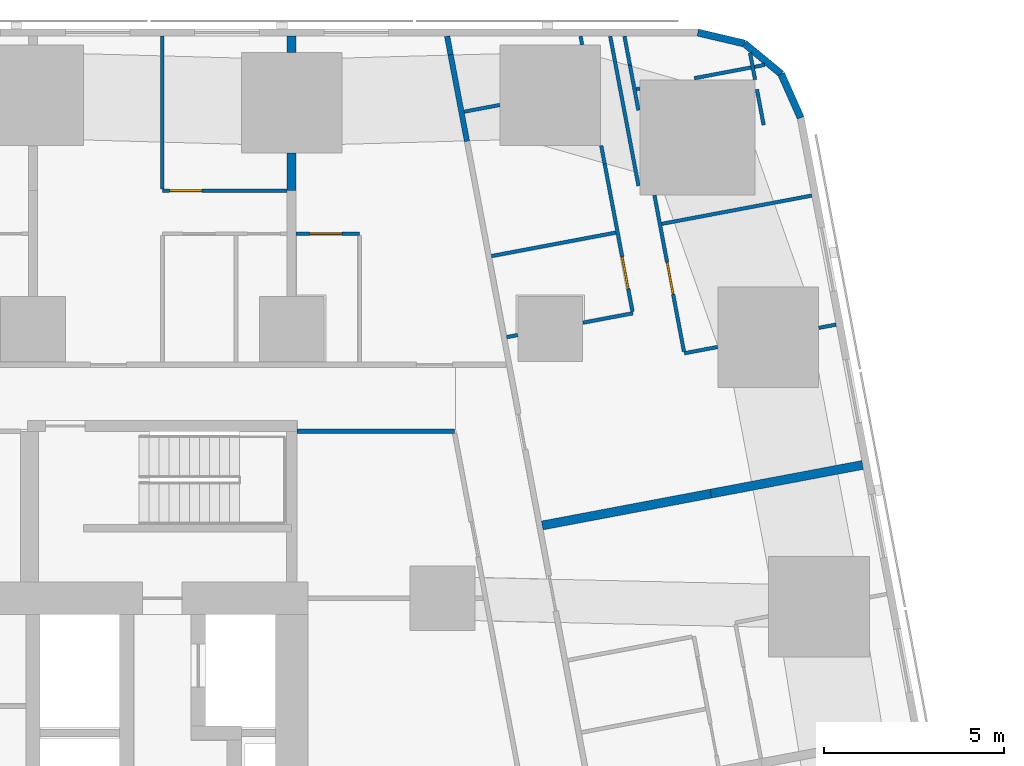
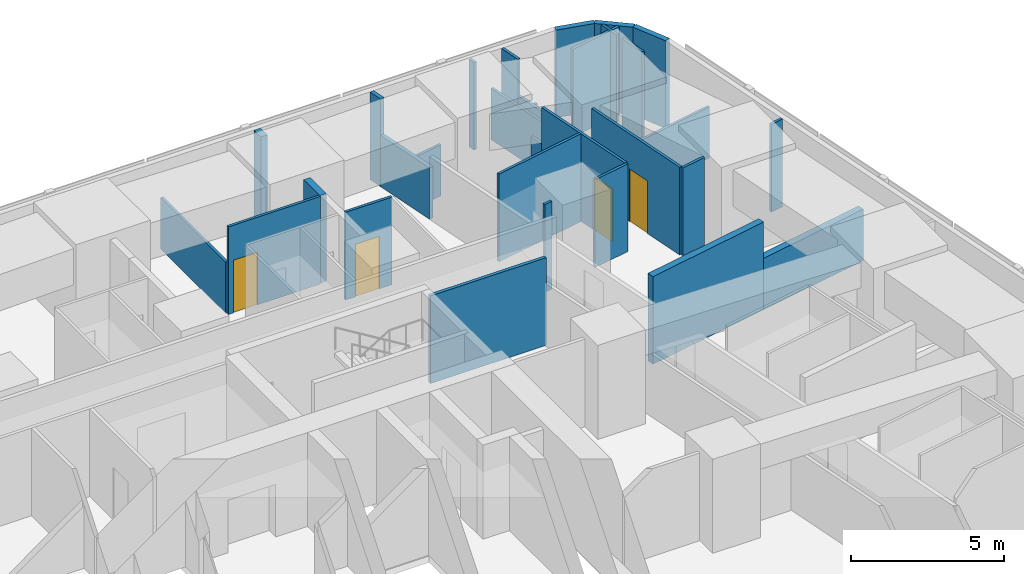
# One storey, part 10 of 15: 31 walls, 4 doors, 4 openings.
"""IFC4 building model written with IfcOpenShell, lengths in metres."""

from ifc_helpers import new_model, si_unit, direction, frame, frame_2d, origin, place, context, subcontext, project, spatial, rectangle, extrude, material, layer, layer_set, type_object, element, fill, save


model = new_model("IFC4")

# Units and contexts
model_context = context("Model", 3, precision=1e-05, world=origin(), true_north=direction((0.0, 1.0)))
body_context = subcontext(model_context, "Body", "Model", "MODEL_VIEW")
ifc_project = project(units=[si_unit("LENGTHUNIT", "METRE"), si_unit("AREAUNIT", "SQUARE_METRE"), si_unit("VOLUMEUNIT", "CUBIC_METRE"), si_unit("PLANEANGLEUNIT", "RADIAN"), si_unit("MASSUNIT", "GRAM", prefix="KILO")], contexts=[model_context])

# Site, building, storey
site_placement = place(None, origin())
site = spatial("IfcSite", under=ifc_project, at=site_placement, CompositionType="ELEMENT")
building_placement = place(site_placement, origin())
building = spatial("IfcBuilding", under=site, at=building_placement, Name="Sheger Commons Tower", CompositionType="ELEMENT")
storey_placement = place(building_placement, frame((0.0, 0.0, 46.25)))
storey = spatial("IfcBuildingStorey", under=building, at=storey_placement, Name="L11", CompositionType="ELEMENT", Elevation=46.25)

# Walls
ifc_material_1 = material(Name="Hollow concrete block masonry, skimmed both sides", Category="masonry")
ifc_layer_1 = layer(ifc_material_1, 0.14990234375)
ifc_layer_set_1 = layer_set([ifc_layer_1], Name="CORRIDOR WALL 150")
wall_type_1 = type_object("IfcWallType", Name="CORRIDOR WALL 150", PredefinedType="SOLIDWALL", material=ifc_layer_set_1)
wall_1_placement = place(storey_placement, frame((33.126953125, 45.64990234375, 0.0), z_axis=(0.0, 0.0, 1.0), x_axis=(0.185441815104, -0.982655246366, 0.0)))
element("IfcWall", 1, at=wall_1_placement, inside=storey, type_object=wall_type_1, Name="Corridor wall L11", PredefinedType="SOLIDWALL", context=body_context, shape_type="SweptSolid", body=[
    extrude(rectangle(XDim=0.52392578125, YDim=0.14990234375, at=frame_2d((0.261962890625, 0.0))), origin(), (0.0, 0.0, 1.0), 3.5),
])
wall_2_placement = place(storey_placement, frame((33.22412109375, 45.135009765625, 0.0), z_axis=(0.0, 0.0, 1.0), x_axis=(0.185681462868, -0.982609990967, 0.0)))
element("IfcWall", 2, at=wall_2_placement, inside=storey, type_object=wall_type_1, Name="Corridor wall L11", PredefinedType="SOLIDWALL", context=body_context, shape_type="SweptSolid", body=[
    extrude(rectangle(XDim=2.454833984375, YDim=0.14990234375, at=frame_2d((1.2275390625, 0.0))), origin(), (0.0, 0.0, 1.0), 2.050048828125),
])
ifc_material_2 = material(Name="Dense concrete block masonry, plastered both sides (separating wall between flats)", Category="masonry")
ifc_layer_2 = layer(ifc_material_2, 0.25)
ifc_layer_set_2 = layer_set([ifc_layer_2], Name="DEMISING WALL 250")
wall_type_2 = type_object("IfcWallType", Name="DEMISING WALL 250", PredefinedType="SOLIDWALL", material=ifc_layer_set_2)
wall_3_placement = place(storey_placement, frame((44.693115234375, 33.712890625, 0.0), z_axis=(0.0, 0.0, 1.0), x_axis=(-0.982633535512, -0.185556823879, 0.0)))
element("IfcWall", 3, at=wall_3_placement, inside=storey, type_object=wall_type_2, Name="Demising wall L11", PredefinedType="SOLIDWALL", context=body_context, shape_type="SweptSolid", body=[
    extrude(rectangle(XDim=4.2998046875, YDim=0.25, at=frame_2d((2.14990234375, 0.0))), origin(), (0.0, 0.0, 1.0), 2.050048828125),
])
wall_4_placement = place(storey_placement, frame((40.468017578125, 32.9150390625, 0.0), z_axis=(0.0, 0.0, 1.0), x_axis=(-0.982635807605, -0.185544791394, 0.0)))
element("IfcWall", 4, at=wall_4_placement, inside=storey, type_object=wall_type_2, Name="Demising wall L11", PredefinedType="SOLIDWALL", context=body_context, shape_type="SweptSolid", body=[
    extrude(rectangle(XDim=4.775146484375, YDim=0.25, at=frame_2d((2.3876953125, 0.0))), origin(), (0.0, 0.0, 1.0), 3.5),
])
wall_5_placement = place(storey_placement, frame((28.800048828125, 41.35009765625, 0.0), z_axis=(0.0, 0.0, 1.0), x_axis=(0.0, 1.0, 0.0)))
element("IfcWall", 5, at=wall_5_placement, inside=storey, type_object=wall_type_2, Name="Demising wall L11", PredefinedType="SOLIDWALL", context=body_context, shape_type="SweptSolid", body=[
    extrude(rectangle(XDim=1.048828125, YDim=0.25, at=frame_2d((0.5244140625, 0.0))), origin(), (0.0, 0.0, 1.0), 3.5),
])
wall_6_placement = place(storey_placement, frame((28.800048828125, 45.200927734375, 0.0), z_axis=(0.0, 0.0, 1.0), x_axis=(0.0, 1.0, 0.0)))
element("IfcWall", 6, at=wall_6_placement, inside=storey, type_object=wall_type_2, Name="Demising wall L11", PredefinedType="SOLIDWALL", context=body_context, shape_type="SweptSolid", body=[
    extrude(rectangle(XDim=0.448974609375, YDim=0.25, at=frame_2d((0.224609375, 0.0))), origin(), (0.0, 0.0, 1.0), 3.5),
])
ifc_material_3 = material(Name="Rendered concrete block masonry, dark grey", Category="masonry")
ifc_layer_3 = layer(ifc_material_3, 0.199951171875)
ifc_layer_set_3 = layer_set([ifc_layer_3], Name="FACADE WALL 200")
wall_type_3 = type_object("IfcWallType", Name="FACADE WALL 200", PredefinedType="SOLIDWALL", material=ifc_layer_set_3)
wall_7_placement = place(storey_placement, frame((42.969970703125, 43.376953125, 0.0), z_axis=(0.0, 0.0, 1.0), x_axis=(-0.406002956633, 0.913871762998, 0.0)))
element("IfcWall", 7, at=wall_7_placement, inside=storey, type_object=wall_type_3, Name="Facade wall L11", PredefinedType="SOLIDWALL", context=body_context, shape_type="SweptSolid", body=[
    extrude(rectangle(XDim=1.33740234375, YDim=0.199951171875, at=frame_2d((0.668701171875, 0.0))), origin(), (0.0, 0.0, 1.0), 3.5),
])
wall_8_placement = place(storey_placement, frame((42.427001953125, 44.59912109375, 0.0), z_axis=(0.0, 0.0, 1.0), x_axis=(-0.770091412544, 0.637933551655, 0.0)))
element("IfcWall", 8, at=wall_8_placement, inside=storey, type_object=wall_type_3, Name="Facade wall L11", PredefinedType="SOLIDWALL", context=body_context, shape_type="SweptSolid", body=[
    extrude(rectangle(XDim=1.324462890625, YDim=0.199951171875, at=frame_2d((0.662109375, 0.0))), origin(), (0.0, 0.0, 1.0), 3.5),
])
wall_9_placement = place(storey_placement, frame((41.406982421875, 45.444091796875, 0.0), z_axis=(0.0, 0.0, 1.0), x_axis=(-0.973453091607, 0.228886606077, 0.0)))
element("IfcWall", 9, at=wall_9_placement, inside=storey, type_object=wall_type_3, Name="Facade wall L11", PredefinedType="SOLIDWALL", context=body_context, shape_type="SweptSolid", body=[
    extrude(rectangle(XDim=1.33642578125, YDim=0.199951171875, at=frame_2d((0.668212890625, 0.0))), origin(), (0.0, 0.0, 1.0), 3.5),
])
ifc_material_4 = material(Name="Gypsum board on steel studs", Category="steel")
ifc_layer_4 = layer(ifc_material_4, 0.10009765625)
ifc_layer_set_4 = layer_set([ifc_layer_4], Name="PARTITION 100")
wall_type_4 = type_object("IfcWallType", Name="PARTITION 100", PredefinedType="PARTITIONING", material=ifc_layer_set_4)
wall_10_placement = place(storey_placement, frame((38.4541015625, 41.48291015625, 0.0), z_axis=(0.0, 0.0, 1.0), x_axis=(-0.185609245326, 0.982623634994, 0.0)))
element("IfcWall", 10, at=wall_10_placement, inside=storey, type_object=wall_type_4, Name="Partition L11", PredefinedType="PARTITIONING", context=body_context, shape_type="SweptSolid", body=[
    extrude(rectangle(XDim=4.24072265625, YDim=0.10009765625, at=frame_2d((2.120361328125, 0.0))), origin(), (0.0, 0.0, 1.0), 2.050048828125),
])
wall_11_placement = place(storey_placement, frame((41.55908203125, 45.18798828125, 0.0), z_axis=(0.0, 0.0, 1.0), x_axis=(0.185063078849, -0.98272664401, 0.0)))
element("IfcWall", 11, at=wall_11_placement, inside=storey, type_object=wall_type_4, Name="Partition L11", PredefinedType="PARTITIONING", context=body_context, shape_type="SweptSolid", body=[
    extrude(rectangle(XDim=0.76123046875, YDim=0.10009765625, at=frame_2d((0.380615234375, 0.0))), origin(), (0.0, 0.0, 1.0), 3.5),
])
wall_12_placement = place(storey_placement, frame((41.7509765625, 44.169921875, 0.0), z_axis=(0.0, 0.0, 1.0), x_axis=(0.186024046654, -0.98254519187, 0.0)))
element("IfcWall", 12, at=wall_12_placement, inside=storey, type_object=wall_type_4, Name="Partition L11", PredefinedType="PARTITIONING", context=body_context, shape_type="SweptSolid", body=[
    extrude(rectangle(XDim=1.010498046875, YDim=0.10009765625, at=frame_2d((0.50537109375, 0.0))), origin(), (0.0, 0.0, 1.0), 3.5),
])
wall_13_placement = place(storey_placement, frame((38.06298828125, 45.64990234375, 0.0), z_axis=(0.0, 0.0, 1.0), x_axis=(0.186109918919, -0.982528929895, 0.0)))
element("IfcWall", 13, at=wall_13_placement, inside=storey, type_object=wall_type_4, Name="Partition L11", PredefinedType="PARTITIONING", context=body_context, shape_type="SweptSolid", body=[
    extrude(rectangle(XDim=0.817138671875, YDim=0.10009765625, at=frame_2d((0.40869140625, 0.0))), origin(), (0.0, 0.0, 1.0), 3.5),
])
wall_14_placement = place(storey_placement, frame((38.215087890625, 44.846923828125, 0.0), z_axis=(0.0, 0.0, 1.0), x_axis=(0.185310800156, -0.982679961811, 0.0)))
element("IfcWall", 14, at=wall_14_placement, inside=storey, type_object=wall_type_4, Name="Partition L11", PredefinedType="PARTITIONING", context=body_context, shape_type="SweptSolid", body=[
    extrude(rectangle(XDim=1.283203125, YDim=0.10009765625, at=frame_2d((0.6416015625, 0.0))), origin(), (0.0, 0.0, 1.0), 2.050048828125),
])

# Wall, opening, door
wall_15_placement = place(storey_placement, frame((38.89892578125, 41.219970703125, 0.0), z_axis=(0.0, 0.0, 1.0), x_axis=(0.185517409072, -0.982640977637, 0.0)))
wall_15 = element("IfcWall", 15, at=wall_15_placement, inside=storey, type_object=wall_type_4, Name="Partition L11", PredefinedType="PARTITIONING", context=body_context, shape_type="SweptSolid", body=[
    extrude(rectangle(XDim=4.42578125, YDim=0.10009765625, at=frame_2d((2.212890625, 0.0))), origin(), (0.0, 0.0, 1.0), 3.5),
])
opening_1_placement = place(wall_15_placement, frame((1.89990234375, 0.0, 0.0)))
opening_1 = element("IfcOpeningElement", 16, at=opening_1_placement, cuts=wall_15, Name="Opening D2", PredefinedType="OPENING", context=body_context, shape_type="SweptSolid", body=[
    extrude(rectangle(XDim=0.89990234375, YDim=2.10009765625, at=frame_2d((0.449951171875, 1.050048828125))), frame((0.0, 0.06005859375, 0.0), z_axis=(0.0, -1.0, 0.0), x_axis=(1.0, 0.0, 0.0)), (0.0, 0.0, 1.0), 0.1201171875),
])
ifc_material_5 = material(Name="Timber door set", Category="wood")
door_type = type_object("IfcDoorType", Name="INTERNAL DOOR 900x2100", OperationType="NOTDEFINED", PredefinedType="DOOR", material=ifc_material_5)
door_1_placement = place(opening_1_placement, origin())
door_1 = element("IfcDoor", 17, at=door_1_placement, inside=storey, type_object=door_type, Name="Main bedroom door", OperationType="SINGLE_SWING_LEFT", OverallHeight=2.10009765625, OverallWidth=0.89990234375, PredefinedType="DOOR", context=body_context, shape_type="SweptSolid", body=[
    extrude(rectangle(XDim=0.89990234375, YDim=2.10009765625, at=frame_2d((0.449951171875, 1.050048828125))), frame((0.0, 0.02490234375, 0.0), z_axis=(0.0, -1.0, 0.0), x_axis=(1.0, 0.0, 0.0)), (0.0, 0.0, 1.0), 0.050048828125),
])
fill(opening_1, door_1)

# Walls
wall_16_placement = place(storey_placement, frame((36.841064453125, 45.64990234375, 0.0), z_axis=(0.0, 0.0, 1.0), x_axis=(0.183986661451, -0.982928740249, 0.0)))
element("IfcWall", 18, at=wall_16_placement, inside=storey, type_object=wall_type_4, Name="Partition L11", PredefinedType="PARTITIONING", context=body_context, shape_type="SweptSolid", body=[
    extrude(rectangle(XDim=0.244140625, YDim=0.10009765625, at=frame_2d((0.1220703125, 0.0))), origin(), (0.0, 0.0, 1.0), 3.5),
])
wall_17_placement = place(storey_placement, frame((37.4169921875, 42.60205078125, 0.0), z_axis=(0.0, 0.0, 1.0), x_axis=(0.185672001976, -0.982611778721, 0.0)))
element("IfcWall", 19, at=wall_17_placement, inside=storey, type_object=wall_type_4, Name="Partition L11", PredefinedType="PARTITIONING", context=body_context, shape_type="SweptSolid", body=[
    extrude(rectangle(XDim=0.52197265625, YDim=0.10009765625, at=frame_2d((0.260986328125, 0.0))), origin(), (0.0, 0.0, 1.0), 2.050048828125),
])

# Wall, opening, door
wall_18_placement = place(storey_placement, frame((37.513916015625, 42.089111328125, 0.0), z_axis=(0.0, 0.0, 1.0), x_axis=(0.185540945282, -0.982636533833, 0.0)))
wall_18 = element("IfcWall", 20, at=wall_18_placement, inside=storey, type_object=wall_type_4, Name="Partition L11", PredefinedType="PARTITIONING", context=body_context, shape_type="SweptSolid", body=[
    extrude(rectangle(XDim=4.177734375, YDim=0.10009765625, at=frame_2d((2.0888671875, 0.0))), origin(), (0.0, 0.0, 1.0), 3.5),
])
opening_2_placement = place(wall_18_placement, frame((2.6298828125, 0.0, 0.0)))
opening_2 = element("IfcOpeningElement", 21, at=opening_2_placement, cuts=wall_18, Name="Opening D2", PredefinedType="OPENING", context=body_context, shape_type="SweptSolid", body=[
    extrude(rectangle(XDim=0.89990234375, YDim=2.10009765625, at=frame_2d((0.449951171875, 1.050048828125))), frame((0.0, 0.06005859375, 0.0), z_axis=(0.0, -1.0, 0.0), x_axis=(1.0, 0.0, 0.0)), (0.0, 0.0, 1.0), 0.1201171875),
])
door_2_placement = place(opening_2_placement, origin())
door_2 = element("IfcDoor", 22, at=door_2_placement, inside=storey, type_object=door_type, Name="Bathroom door", OperationType="SINGLE_SWING_LEFT", OverallHeight=2.10009765625, OverallWidth=0.89990234375, PredefinedType="DOOR", context=body_context, shape_type="SweptSolid", body=[
    extrude(rectangle(XDim=0.89990234375, YDim=2.10009765625, at=frame_2d((0.449951171875, 1.050048828125))), frame((0.0, 0.02490234375, 0.0), z_axis=(0.0, -1.0, 0.0), x_axis=(1.0, 0.0, 0.0)), (0.0, 0.0, 1.0), 0.050048828125),
])
fill(opening_2, door_2)

# Walls
wall_19_placement = place(storey_placement, frame((41.968017578125, 44.85009765625, 0.0), z_axis=(0.0, 0.0, 1.0), x_axis=(-0.982543651732, -0.186032181195, 0.0)))
element("IfcWall", 23, at=wall_19_placement, inside=storey, type_object=wall_type_4, Name="Partition L11", PredefinedType="PARTITIONING", context=body_context, shape_type="SweptSolid", body=[
    extrude(rectangle(XDim=1.994873046875, YDim=0.10009765625, at=frame_2d((0.99755859375, 0.0))), origin(), (0.0, 0.0, 1.0), 3.5),
])
wall_20_placement = place(storey_placement, frame((38.491943359375, 44.193115234375, 0.0), z_axis=(0.0, 0.0, 1.0), x_axis=(-0.981954528773, -0.189117168504, 0.0)))
element("IfcWall", 24, at=wall_20_placement, inside=storey, type_object=wall_type_4, Name="Partition L11", PredefinedType="PARTITIONING", context=body_context, shape_type="SweptSolid", body=[
    extrude(rectangle(XDim=0.1005859375, YDim=0.10009765625, at=frame_2d((0.05029296875, 0.0))), origin(), (0.0, 0.0, 1.0), 2.050048828125),
])
wall_21_placement = place(storey_placement, frame((43.277099609375, 41.2119140625, 0.0), z_axis=(0.0, 0.0, 1.0), x_axis=(-0.982665405803, -0.185387972203, 0.0)))
element("IfcWall", 25, at=wall_21_placement, inside=storey, type_object=wall_type_4, Name="Partition L11", PredefinedType="PARTITIONING", context=body_context, shape_type="SweptSolid", body=[
    extrude(rectangle(XDim=4.249755859375, YDim=0.10009765625, at=frame_2d((2.125, 0.0))), origin(), (0.0, 0.0, 1.0), 2.050048828125),
])
wall_22_placement = place(storey_placement, frame((43.955078125, 37.6201171875, 0.0), z_axis=(0.0, 0.0, 1.0), x_axis=(-0.982543152073, -0.186034820164, 0.0)))
element("IfcWall", 26, at=wall_22_placement, inside=storey, type_object=wall_type_4, Name="Partition L11", PredefinedType="PARTITIONING", context=body_context, shape_type="SweptSolid", body=[
    extrude(rectangle(XDim=0.489501953125, YDim=0.10009765625, at=frame_2d((0.24462890625, 0.0))), origin(), (0.0, 0.0, 1.0), 3.5),
])
wall_23_placement = place(storey_placement, frame((40.654052734375, 36.99609375, 0.0), z_axis=(0.0, 0.0, 1.0), x_axis=(-0.982716055164, -0.185119299163, 0.0)))
element("IfcWall", 27, at=wall_23_placement, inside=storey, type_object=wall_type_4, Name="Partition L11", PredefinedType="PARTITIONING", context=body_context, shape_type="SweptSolid", body=[
    extrude(rectangle(XDim=0.9404296875, YDim=0.10009765625, at=frame_2d((0.47021484375, 0.0))), origin(), (0.0, 0.0, 1.0), 3.5),
])
wall_24_placement = place(storey_placement, frame((34.590087890625, 43.73388671875, 0.0), z_axis=(0.0, 0.0, 1.0), x_axis=(-0.982632457012, -0.185562535081, 0.0)))
element("IfcWall", 28, at=wall_24_placement, inside=storey, type_object=wall_type_4, Name="Partition L11", PredefinedType="PARTITIONING", context=body_context, shape_type="SweptSolid", body=[
    extrude(rectangle(XDim=1.006591796875, YDim=0.10009765625, at=frame_2d((0.50341796875, 0.0))), origin(), (0.0, 0.0, 1.0), 2.050048828125),
])
wall_25_placement = place(storey_placement, frame((37.822998046875, 40.181884765625, 0.0), z_axis=(0.0, 0.0, 1.0), x_axis=(-0.98263926043, -0.185526504472, 0.0)))
element("IfcWall", 29, at=wall_25_placement, inside=storey, type_object=wall_type_4, Name="Partition L11", PredefinedType="PARTITIONING", context=body_context, shape_type="SweptSolid", body=[
    extrude(rectangle(XDim=3.524169921875, YDim=0.10009765625, at=frame_2d((1.76220703125, 0.0))), origin(), (0.0, 0.0, 1.0), 3.5),
])
wall_26_placement = place(storey_placement, frame((38.299072265625, 37.93505859375, 0.0), z_axis=(0.0, 0.0, 1.0), x_axis=(-0.982680053146, -0.185310315822, 0.0)))
element("IfcWall", 30, at=wall_26_placement, inside=storey, type_object=wall_type_4, Name="Partition L11", PredefinedType="PARTITIONING", context=body_context, shape_type="SweptSolid", body=[
    extrude(rectangle(XDim=1.41357421875, YDim=0.10009765625, at=frame_2d((0.706787109375, 0.0))), origin(), (0.0, 0.0, 1.0), 3.5),
])
wall_27_placement = place(storey_placement, frame((35.090087890625, 37.327880859375, 0.0), z_axis=(0.0, 0.0, 1.0), x_axis=(-0.982961380226, -0.183812200315, 0.0)))
element("IfcWall", 31, at=wall_27_placement, inside=storey, type_object=wall_type_4, Name="Partition L11", PredefinedType="PARTITIONING", context=body_context, shape_type="SweptSolid", body=[
    extrude(rectangle(XDim=0.3095703125, YDim=0.10009765625, at=frame_2d((0.15478515625, 0.0))), origin(), (0.0, 0.0, 1.0), 3.5),
])

# Wall, opening, door
wall_28_placement = place(storey_placement, frame((25.199951171875, 41.35009765625, 0.0), z_axis=(0.0, 0.0, 1.0), x_axis=(1.0, 0.0, 0.0)))
wall_28 = element("IfcWall", 32, at=wall_28_placement, inside=storey, type_object=wall_type_4, Name="Partition L11", PredefinedType="PARTITIONING", context=body_context, shape_type="SweptSolid", body=[
    extrude(rectangle(XDim=3.47509765625, YDim=0.10009765625, at=frame_2d((1.737548828125, 0.0))), origin(), (0.0, 0.0, 1.0), 3.5),
])
opening_3_placement = place(wall_28_placement, frame((0.199951171875, 0.0, 0.0)))
opening_3 = element("IfcOpeningElement", 33, at=opening_3_placement, cuts=wall_28, Name="Opening D2", PredefinedType="OPENING", context=body_context, shape_type="SweptSolid", body=[
    extrude(rectangle(XDim=0.89990234375, YDim=2.10009765625, at=frame_2d((0.449951171875, 1.050048828125))), frame((0.0, 0.06005859375, 0.0), z_axis=(0.0, -1.0, 0.0), x_axis=(1.0, 0.0, 0.0)), (0.0, 0.0, 1.0), 0.1201171875),
])
door_3_placement = place(opening_3_placement, origin())
door_3 = element("IfcDoor", 34, at=door_3_placement, inside=storey, type_object=door_type, Name="Main bedroom door", OperationType="SINGLE_SWING_LEFT", OverallHeight=2.10009765625, OverallWidth=0.89990234375, PredefinedType="DOOR", context=body_context, shape_type="SweptSolid", body=[
    extrude(rectangle(XDim=0.89990234375, YDim=2.10009765625, at=frame_2d((0.449951171875, 1.050048828125))), frame((0.0, 0.02490234375, 0.0), z_axis=(0.0, -1.0, 0.0), x_axis=(1.0, 0.0, 0.0)), (0.0, 0.0, 1.0), 0.050048828125),
])
fill(opening_3, door_3)

# Wall
wall_29_placement = place(storey_placement, frame((25.199951171875, 41.39990234375, 0.0), z_axis=(0.0, 0.0, 1.0), x_axis=(0.0, 1.0, 0.0)))
element("IfcWall", 35, at=wall_29_placement, inside=storey, type_object=wall_type_4, Name="Partition L11", PredefinedType="PARTITIONING", context=body_context, shape_type="SweptSolid", body=[
    extrude(rectangle(XDim=4.25, YDim=0.10009765625, at=frame_2d((2.125, 0.0))), origin(), (0.0, 0.0, 1.0), 2.050048828125),
])

# Wall, opening, door
wall_30_placement = place(storey_placement, frame((28.925048828125, 40.14990234375, 0.0), z_axis=(0.0, 0.0, 1.0), x_axis=(1.0, 0.0, 0.0)))
wall_30 = element("IfcWall", 36, at=wall_30_placement, inside=storey, type_object=wall_type_4, Name="Partition L11", PredefinedType="PARTITIONING", context=body_context, shape_type="SweptSolid", body=[
    extrude(rectangle(XDim=1.764892578125, YDim=0.10009765625, at=frame_2d((0.88232421875, 0.0))), origin(), (0.0, 0.0, 1.0), 3.5),
])
opening_4_placement = place(wall_30_placement, frame((0.375, 0.0, 0.0)))
opening_4 = element("IfcOpeningElement", 37, at=opening_4_placement, cuts=wall_30, Name="Opening D2", PredefinedType="OPENING", context=body_context, shape_type="SweptSolid", body=[
    extrude(rectangle(XDim=0.89990234375, YDim=2.10009765625, at=frame_2d((0.449951171875, 1.050048828125))), frame((0.0, 0.06005859375, 0.0), z_axis=(0.0, -1.0, 0.0), x_axis=(1.0, 0.0, 0.0)), (0.0, 0.0, 1.0), 0.1201171875),
])
door_4_placement = place(opening_4_placement, origin())
door_4 = element("IfcDoor", 38, at=door_4_placement, inside=storey, type_object=door_type, Name="Shower room door", OperationType="SINGLE_SWING_RIGHT", OverallHeight=2.10009765625, OverallWidth=0.89990234375, PredefinedType="DOOR", context=body_context, shape_type="SweptSolid", body=[
    extrude(rectangle(XDim=0.89990234375, YDim=2.10009765625, at=frame_2d((0.449951171875, 1.050048828125))), frame((0.0, 0.02490234375, 0.0), z_axis=(0.0, -1.0, 0.0), x_axis=(1.0, 0.0, 0.0)), (0.0, 0.0, 1.0), 0.050048828125),
])
fill(opening_4, door_4)

# Wall
ifc_material_6 = material(Name="Gypsum board on steel studs, two layers each side, fire rated", Category="steel")
ifc_layer_5 = layer(ifc_material_6, 0.125)
ifc_layer_set_5 = layer_set([ifc_layer_5], Name="SERVICE WALL 125")
wall_type_5 = type_object("IfcWallType", Name="SERVICE WALL 125", PredefinedType="PARTITIONING", material=ifc_layer_set_5)
wall_31_placement = place(storey_placement, frame((28.949951171875, 34.64990234375, 0.0), z_axis=(0.0, 0.0, 1.0), x_axis=(1.0, 0.0, 0.0)))
element("IfcWall", 39, at=wall_31_placement, inside=storey, type_object=wall_type_5, Name="Service room wall L11", PredefinedType="PARTITIONING", context=body_context, shape_type="SweptSolid", body=[
    extrude(rectangle(XDim=4.381103515625, YDim=0.125, at=frame_2d((2.1904296875, 0.0))), origin(), (0.0, 0.0, 1.0), 3.5),
])

save(model, "model.ifc")
